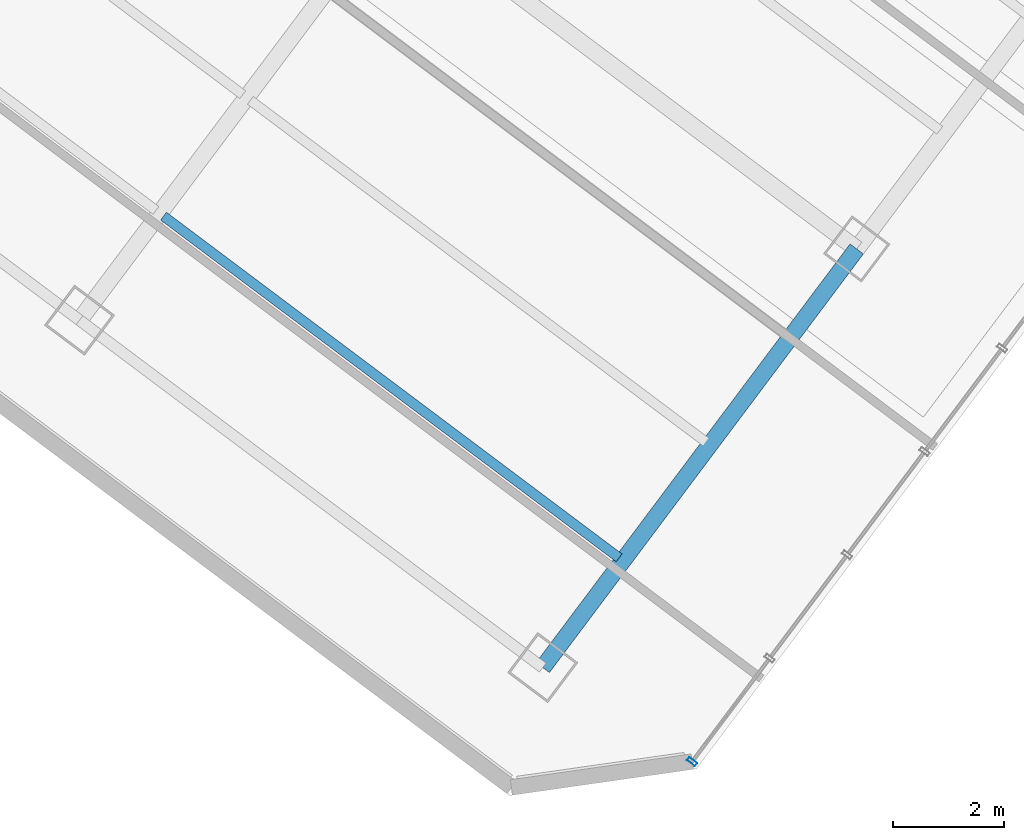
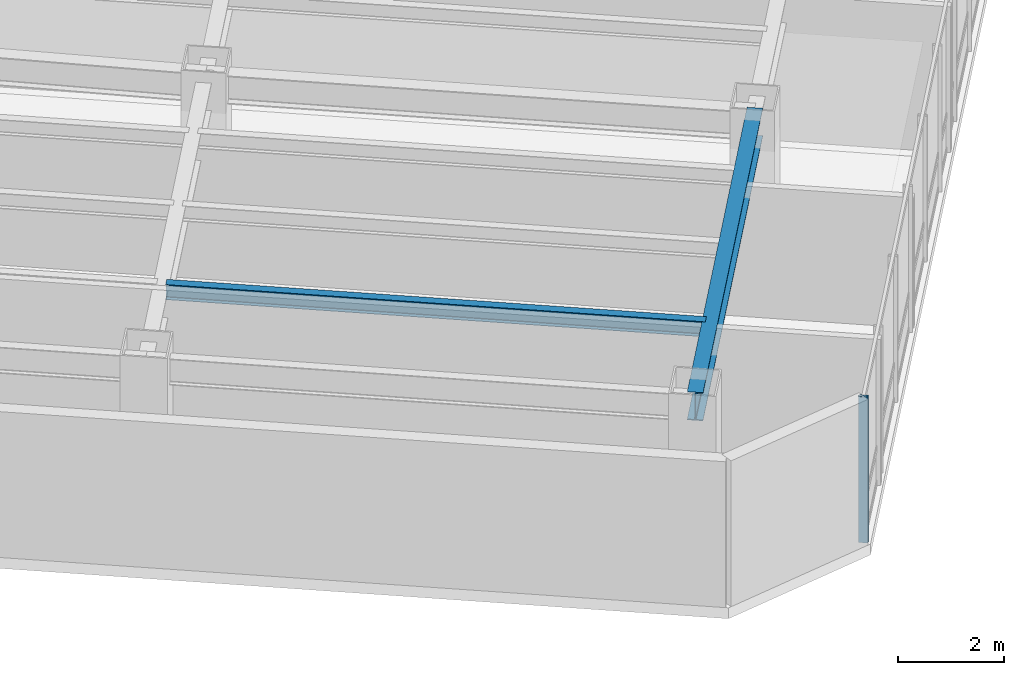
# One storey, part 6 of 31: 2 beams, 1 member, 1 element without a shape of its own.
"""IFC4 building model written with IfcOpenShell, lengths in metres."""

from ifc_helpers import new_model, si_unit, direction, frame, origin, origin_2d, place, context, subcontext, project, spatial, hollow_rectangle, i_section, extrude, material, layer, layer_set, material_profile, profile_set, type_object, element, aggregate, save


model = new_model("IFC4")

# Units and contexts
model_context = context("Model", 3, precision=1e-05, world=origin(), true_north=direction((0.0, 1.0)))
body_context = subcontext(model_context, "Body", "Model", "MODEL_VIEW")
ifc_project = project(units=[si_unit("LENGTHUNIT", "METRE"), si_unit("AREAUNIT", "SQUARE_METRE"), si_unit("VOLUMEUNIT", "CUBIC_METRE"), si_unit("PLANEANGLEUNIT", "RADIAN"), si_unit("MASSUNIT", "GRAM", prefix="KILO")], contexts=[model_context])

# Site, building, storey
site_placement = place(None, origin())
site = spatial("IfcSite", under=ifc_project, at=site_placement, CompositionType="ELEMENT")
building_placement = place(site_placement, origin())
building = spatial("IfcBuilding", under=site, at=building_placement, Name="Hatsunagi Terrace Concourse", CompositionType="ELEMENT")
storey_placement = place(building_placement, frame((0.0, 0.0, 122.85009765625)))
storey = spatial("IfcBuildingStorey", under=building, at=storey_placement, Name="L32", CompositionType="ELEMENT", Elevation=122.85009765625)

# Curtain wall, member
ifc_material_1 = material(Name="Anodised Aluminium Alloy 6063-T5", Category="aluminium")
ifc_layer = layer(ifc_material_1, 0.199951171875)
ifc_layer_set = layer_set([ifc_layer], Name="OfficeZone1_CW03")
curtain_wall_type = type_object("IfcCurtainWallType", Name="OfficeZone1_CW03", PredefinedType="NOTDEFINED", material=ifc_layer_set)
curtain_wall_placement = place(storey_placement, origin())
curtain_wall = element("IfcCurtainWall", 1, at=curtain_wall_placement, inside=storey, type_object=curtain_wall_type, Name="Unitised Curtain Wall CW-03 CW-L32-03", PredefinedType="NOTDEFINED")
ifc_material_2 = material(Name="Anodised Aluminium Alloy 6063-T5", Category="aluminium")
ifc_material_profile_1 = material_profile(ifc_material_2, hollow_rectangle(XDim=0.070068359375, YDim=0.179931640625, WallThickness=0.00390625, at=origin_2d()), Name="ALU-MUL-180x70x4")
ifc_profile_set_1 = profile_set([ifc_material_profile_1], Name="Anodised Aluminium Alloy 6063-T5")
member_type = type_object("IfcMemberType", Name="CurtainWallMullion_180x70", PredefinedType="MULLION", material=ifc_profile_set_1)
member_placement = place(storey_placement, frame((56.56298828125, 2.949951171875, 0.0), z_axis=(0.0, 0.0, 1.0), x_axis=(-0.599969314634, -0.800023013105, 0.0)))
member = element("IfcMember", 2, at=member_placement, type_object=member_type, Name="Curtain Wall Mullion MUL-02", PredefinedType="MULLION", context=body_context, shape_type="SweptSolid", body=[
    extrude(hollow_rectangle(XDim=0.070068359375, YDim=0.179931640625, WallThickness=0.00390625, at=origin_2d()), origin(), (0.0, 0.0, 1.0), 3.349853515625),
])
aggregate(curtain_wall, [member])

# Beams
ifc_material_3 = material(Name="Steel SN490B", Category="steel")
ifc_material_profile_2 = material_profile(ifc_material_3, i_section(OverallWidth=0.175048828125, OverallDepth=0.35009765625, WebThickness=0.007080078125, FlangeThickness=0.010986328125, FilletRadius=0.012939453125, at=origin_2d()), Name="H-350x175x7x11")
ifc_profile_set_2 = profile_set([ifc_material_profile_2], Name="Steel SN490B")
beam_type_1 = type_object("IfcBeamType", Name="HotelJoist_H_350x175", PredefinedType="JOIST", material=ifc_profile_set_2)
beam_1_placement = place(storey_placement, frame((47.068115234375, 12.7490234375, 3.1748046875), z_axis=(0.799997136125, -0.600003818481, 0.0), x_axis=(0.600003818481, 0.799997136125, 0.0)))
element("IfcBeam", 3, at=beam_1_placement, inside=storey, type_object=beam_type_1, Name="Beam J-02 J-L32-SE-3-46", PredefinedType="JOIST", context=body_context, shape_type="SweptSolid", body=[
    extrude(i_section(OverallWidth=0.175048828125, OverallDepth=0.35009765625, WebThickness=0.007080078125, FlangeThickness=0.010986328125, FilletRadius=0.012939453125, at=origin_2d()), origin(), (0.0, 0.0, 1.0), 10.229736328125),
])
ifc_material_4 = material(Name="Steel SN490B", Category="steel")
ifc_material_profile_3 = material_profile(ifc_material_4, i_section(OverallWidth=0.300048828125, OverallDepth=0.64990234375, WebThickness=0.012939453125, FlangeThickness=0.02197265625, FilletRadius=0.01806640625, at=origin_2d()), Name="H-650x300x13x22")
ifc_profile_set_3 = profile_set([ifc_material_profile_3], Name="Steel SN490B")
beam_type_2 = type_object("IfcBeamType", Name="OfficeLowGirder_H_650x300", PredefinedType="BEAM", material=ifc_profile_set_3)
beam_2_placement = place(storey_placement, frame((53.8798828125, 4.639892578125, 3.02490234375), z_axis=(0.600008311051, 0.799993766644, 0.0), x_axis=(-0.799993766644, 0.600008311051, 0.0)))
element("IfcBeam", 4, at=beam_2_placement, inside=storey, type_object=beam_type_2, Name="Beam G-05 BM-L32-SET-3A", PredefinedType="BEAM", context=body_context, shape_type="SweptSolid", body=[
    extrude(i_section(OverallWidth=0.300048828125, OverallDepth=0.64990234375, WebThickness=0.012939453125, FlangeThickness=0.02197265625, FilletRadius=0.01806640625, at=origin_2d()), origin(), (0.0, 0.0, 1.0), 9.400146484375),
])

save(model, "model.ifc")
